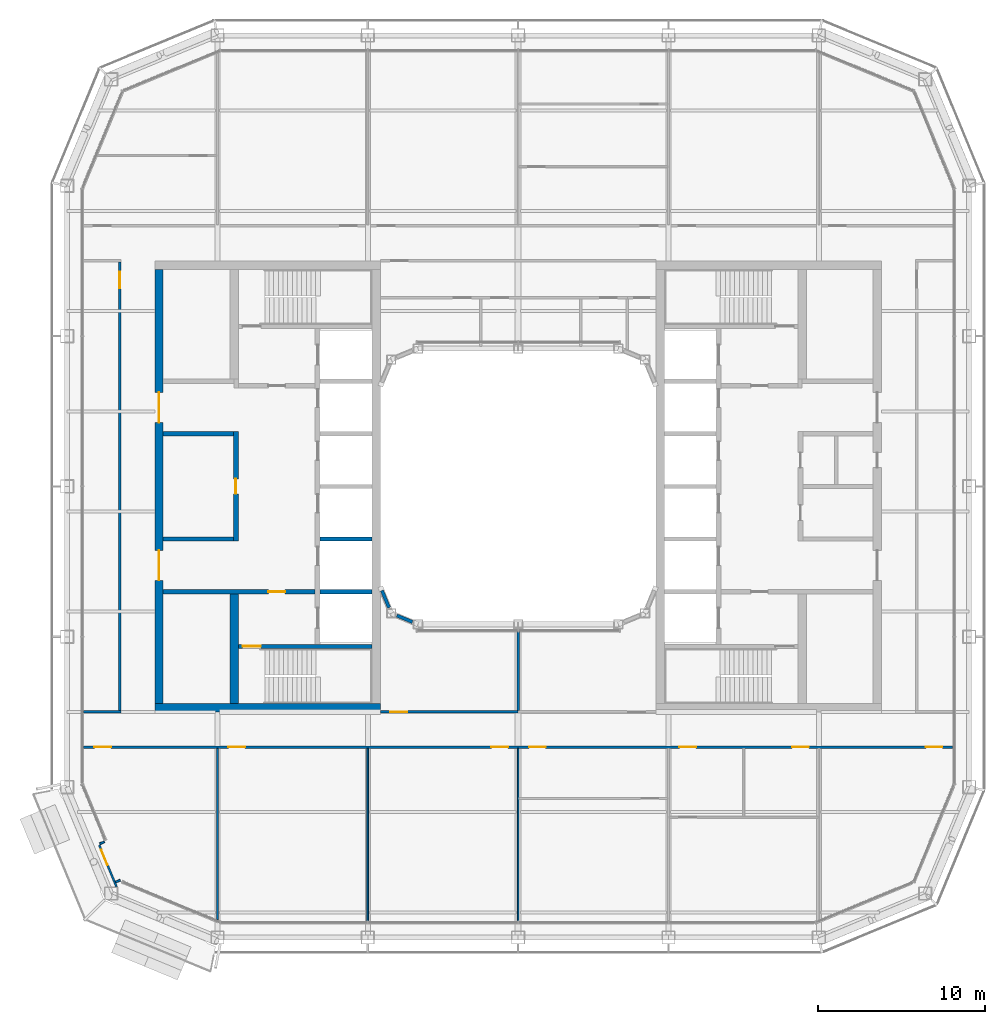
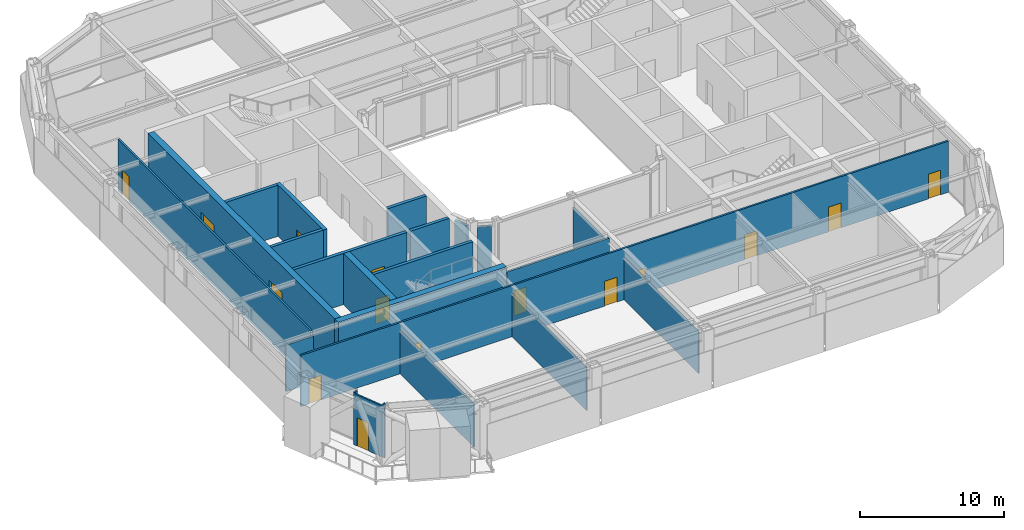
# One storey, part 13 of 23: 23 walls, 15 doors, 15 openings.
"""IFC4 building model written with IfcOpenShell, lengths in metres."""

import ifcopenshell
import ifcopenshell.guid

model = None  # the IFC model being written
_history = None  # IfcOwnerHistory: only IFC2X3 demands one
_inside = {}  # id of a spatial element -> (the spatial element, [elements in it])
_under = {}  # id of a project, library or spatial element -> (it, [spatial elements below it])
_declared = {}  # id of a project -> (the project, [libraries it declares])
_typed = {}  # id of a type object -> (the type object, [elements of that type])
_made_of = {}  # id of a material, layer set ... -> (it, [elements and type objects made of it])


def new_model(schema):
    """Start an empty IFC model of exactly this schema.

    Asked for "IFC4X3", IfcOpenShell would pick the latest addendum, in which some entities
    have other attributes; the version numbers below select the first issue.
    IFC2X3 requires an IfcOwnerHistory on every rooted entity: one is made here for all.
    """
    global model, _history
    if schema == "IFC4X3":
        model = ifcopenshell.file(schema_version=(4, 3, 0, 0))
    else:
        model = ifcopenshell.file(schema=schema)
    _inside.clear()
    _under.clear()
    _declared.clear()
    _typed.clear()
    _made_of.clear()
    _history = None
    if model.schema == "IFC2X3":
        org = make("IfcOrganization", Name="unknown")
        user = make(
            "IfcPersonAndOrganization",
            ThePerson=make("IfcPerson", FamilyName="unknown"),
            TheOrganization=org,
        )
        app = make(
            "IfcApplication",
            ApplicationDeveloper=org,
            Version="unknown",
            ApplicationFullName="unknown",
            ApplicationIdentifier="unknown",
        )
        _history = make(
            "IfcOwnerHistory",
            OwningUser=user,
            OwningApplication=app,
            ChangeAction="ADDED",
            CreationDate=0,
        )
    return model


def make(cls, **values):
    """One entity of the class cls with the attributes given. An attribute that is None is left unset."""
    return model.create_entity(
        cls, **{name: value for name, value in values.items() if value is not None}
    )


def rooted(cls, **values):
    """An entity with a GlobalId (a new one), such as an element, a storey or a relation."""
    return make(cls, GlobalId=ifcopenshell.guid.new(), OwnerHistory=_history, **values)


def si_unit(unit_type, name, prefix=None):
    """IfcSIUnit, for example si_unit("LENGTHUNIT", "METRE", prefix="MILLI")."""
    return make("IfcSIUnit", UnitType=unit_type, Prefix=prefix, Name=name)


def assignment(units):
    """IfcUnitAssignment: the units of a project."""
    return None if units is None else make("IfcUnitAssignment", Units=units)


def point(xyz):
    """IfcCartesianPoint."""
    return None if xyz is None else make("IfcCartesianPoint", Coordinates=xyz)


def direction(xyz):
    """IfcDirection."""
    return None if xyz is None else make("IfcDirection", DirectionRatios=xyz)


def frame(location, z_axis=None, x_axis=None):
    """IfcAxis2Placement3D, a coordinate frame: its origin and axes. An axis left out is left unset."""
    return make(
        "IfcAxis2Placement3D",
        Location=point(location),
        Axis=direction(z_axis),
        RefDirection=direction(x_axis),
    )


def frame_2d(location, x_axis=None):
    """IfcAxis2Placement2D, a coordinate frame in the plane: its origin and x axis."""
    return make(
        "IfcAxis2Placement2D", Location=point(location), RefDirection=direction(x_axis)
    )


def origin():
    """The frame at (0, 0, 0) with its axes left unset."""
    return frame((0.0, 0.0, 0.0))


def place(relative_to, where):
    """IfcLocalPlacement: puts the frame where relative to a parent placement (None: the world)."""
    return make(
        "IfcLocalPlacement", PlacementRelTo=relative_to, RelativePlacement=where
    )


def context(
    kind, dimensions, precision=None, world=None, true_north=None, identifier=None
):
    """IfcGeometricRepresentationContext, for example the 3D "Model" context."""
    return make(
        "IfcGeometricRepresentationContext",
        ContextIdentifier=identifier,
        ContextType=kind,
        CoordinateSpaceDimension=dimensions,
        Precision=precision,
        WorldCoordinateSystem=world,
        TrueNorth=true_north,
    )


def subcontext(parent, identifier, kind, view, scale=None):
    """IfcGeometricRepresentationSubContext, for example "Body" below "Model"."""
    return make(
        "IfcGeometricRepresentationSubContext",
        ContextIdentifier=identifier,
        ContextType=kind,
        ParentContext=parent,
        TargetScale=scale,
        TargetView=view,
    )


def project(units=None, contexts=None):
    """IfcProject with its units and contexts."""
    return rooted(
        "IfcProject",
        Name="project",
        RepresentationContexts=contexts,
        UnitsInContext=assignment(units),
    )


def spatial(cls, under=None, at=None, **own):
    """A site, building, storey or space (cls), placed at a placement, below another one or the project."""
    s = rooted(cls, ObjectPlacement=at, **own)
    if under is not None:
        _under.setdefault(under.id(), (under, []))[1].append(s)
    return s


def profile(cls, at=None, kind="AREA", **sizes):
    """A parametric profile (cls). Its sizes go by their IFC names, for example OverallWidth=200.0."""
    return make(cls, ProfileType=kind, Position=at, **sizes)


def rectangle(**sizes):
    """IfcRectangleProfileDef."""
    return profile("IfcRectangleProfileDef", **sizes)


def extrude(swept, where, along, depth):
    """IfcExtrudedAreaSolid: the profile swept, set in the frame where, extruded along a direction by depth."""
    return make(
        "IfcExtrudedAreaSolid",
        SweptArea=swept,
        Position=where,
        ExtrudedDirection=direction(along),
        Depth=depth,
    )


def shape(context_of_items, identifier, shape_type, items):
    """IfcShapeRepresentation: the items that make up one representation, for example the "Body"."""
    return make(
        "IfcShapeRepresentation",
        ContextOfItems=context_of_items,
        RepresentationIdentifier=identifier,
        RepresentationType=shape_type,
        Items=items,
    )


def material(Name=None, Category=None):
    """IfcMaterial."""
    return make("IfcMaterial", Name=Name, Category=Category)


def layer(
    of_material, thickness, ventilated=None, Name=None, Category=None, Priority=None
):
    """IfcMaterialLayer: one layer of a wall or slab, of a material (None: an air gap)."""
    return make(
        "IfcMaterialLayer",
        Material=of_material,
        LayerThickness=thickness,
        IsVentilated=ventilated,
        Name=Name,
        Category=Category,
        Priority=Priority,
    )


def layer_set(layers, Name=None):
    """IfcMaterialLayerSet."""
    return make("IfcMaterialLayerSet", MaterialLayers=layers, LayerSetName=Name)


def made_of(thing, what):
    """Note that an element or type object is made of a material, layer set ...; save() writes the relation."""
    if what is not None:
        _made_of.setdefault(what.id(), (what, []))[1].append(thing)
    return thing


def type_object(cls, material=None, **own):
    """A type object (cls), such as IfcWallType, which elements share."""
    return made_of(rooted(cls, **own), material)


def element(
    cls,
    number,
    at=None,
    inside=None,
    cuts=None,
    type_object=None,
    material=None,
    context=None,
    identifier="Body",
    shape_type=None,
    held_by="IfcProductDefinitionShape",
    body=None,
    shapes=None,
    **own,
):
    """One element of the class cls, such as IfcWall. Its Tag is "e" and its number.

    at: its placement. inside: the storey or other place that contains it. cuts: it is an
    opening in that element (IfcRelVoidsElement). A single representation is given by context,
    identifier, shape_type and body (its items); several are given by shapes. held_by: the class
    of the entity that holds the representations. save() writes the other relations.
    """
    e = rooted(cls, Tag="e%d" % number, ObjectPlacement=at, **own)
    if body is not None:
        shapes = [shape(context, identifier, shape_type, body)]
    if shapes is not None:
        e.Representation = make(held_by, Representations=shapes)
    if inside is not None:
        _inside.setdefault(inside.id(), (inside, []))[1].append(e)
    if cuts is not None:
        rooted(
            "IfcRelVoidsElement", RelatingBuildingElement=cuts, RelatedOpeningElement=e
        )
    if type_object is not None:
        _typed.setdefault(type_object.id(), (type_object, []))[1].append(e)
    return made_of(e, material)


def fill(opening, filler):
    """IfcRelFillsElement: the door or window that sits in an opening."""
    return rooted(
        "IfcRelFillsElement",
        RelatingOpeningElement=opening,
        RelatedBuildingElement=filler,
    )


def aggregate(whole, parts):
    """IfcRelAggregates: a whole, such as a stair, and the parts it consists of."""
    return rooted("IfcRelAggregates", RelatingObject=whole, RelatedObjects=parts)


def save(model, path):
    """Write the relations noted so far, then the file.

    IfcRelAggregates (storeys below a building ...), IfcRelContainedInSpatialStructure (elements
    in a storey), IfcRelDefinesByType, IfcRelAssociatesMaterial and IfcRelDeclares: one each for
    every whole, place, type object, material and project.
    """
    for whole, parts in _under.values():
        aggregate(whole, parts)
    for where, things in _inside.values():
        rooted(
            "IfcRelContainedInSpatialStructure",
            RelatedElements=things,
            RelatingStructure=where,
        )
    for kind, things in _typed.values():
        rooted("IfcRelDefinesByType", RelatedObjects=things, RelatingType=kind)
    for what, things in _made_of.values():
        rooted("IfcRelAssociatesMaterial", RelatedObjects=things, RelatingMaterial=what)
    for by, libraries in _declared.values():
        rooted("IfcRelDeclares", RelatingContext=by, RelatedDefinitions=libraries)
    model.write(path)


model = new_model("IFC4")

# Units and contexts
model_context = context("Model", 3, precision=1e-05, world=origin(), true_north=direction((0.0, 1.0)))
body_context = subcontext(model_context, "Body", "Model", "MODEL_VIEW")
ifc_project = project(units=[si_unit("LENGTHUNIT", "METRE"), si_unit("AREAUNIT", "SQUARE_METRE"), si_unit("VOLUMEUNIT", "CUBIC_METRE"), si_unit("PLANEANGLEUNIT", "RADIAN"), si_unit("MASSUNIT", "GRAM", prefix="KILO")], contexts=[model_context])

# Site, building, storey
site_placement = place(None, origin())
site = spatial("IfcSite", under=ifc_project, at=site_placement, CompositionType="ELEMENT")
building_placement = place(site_placement, origin())
building = spatial("IfcBuilding", under=site, at=building_placement, Name="Siwar Civic Tower", CompositionType="ELEMENT")
storey_placement = place(building_placement, frame((0.0, 0.0, 269.199951171875)))
storey = spatial("IfcBuildingStorey", under=building, at=storey_placement, Name="L58", CompositionType="ELEMENT", Elevation=269.199951171875)

# Wall, opening, door
ifc_material_1 = material(Name="Gypsum board on steel studs", Category="steel")
ifc_layer_1 = layer(ifc_material_1, 0.14990234375)
ifc_layer_set_1 = layer_set([ifc_layer_1], Name="Gypsum board on steel studs")
wall_type_1 = type_object("IfcWallType", Name="COMPARTMENT PARTITION 150 EI 60", PredefinedType="PARTITIONING", material=ifc_layer_set_1)
wall_1_placement = place(storey_placement, frame((-8.25, -13.5, 0.0), z_axis=(0.0, 0.0, 1.0), x_axis=(1.0, 0.0, 0.0)))
wall_1 = element("IfcWall", 1, at=wall_1_placement, inside=storey, type_object=wall_type_1, Name="L58/wall/P07", PredefinedType="PARTITIONING", context=body_context, shape_type="SweptSolid", body=[
    extrude(rectangle(XDim=8.25, YDim=0.14990234375, at=frame_2d((4.125, 0.0))), origin(), (0.0, 0.0, 1.0), 3.949951171875),
])
opening_1_placement = place(wall_1_placement, frame((0.60009765625, 0.0, 0.0)))
opening_1 = element("IfcOpeningElement", 2, at=opening_1_placement, cuts=wall_1, Name="Opening D1", PredefinedType="OPENING", context=body_context, shape_type="SweptSolid", body=[
    extrude(rectangle(XDim=1.0, YDim=2.10009765625, at=frame_2d((0.5, 1.050048828125))), frame((0.0, 0.0849609375, 0.0), z_axis=(0.0, -1.0, 0.0), x_axis=(1.0, 0.0, 0.0)), (0.0, 0.0, 1.0), 0.169921875),
])
ifc_material_2 = material(Name="Timber, painted", Category="wood")
door_type_1 = type_object("IfcDoorType", Name="DOOR 1000 X 2100 FD30", OperationType="SINGLE_SWING_LEFT", PredefinedType="DOOR", material=ifc_material_2)
door_1_placement = place(opening_1_placement, origin())
door_1 = element("IfcDoor", 3, at=door_1_placement, inside=storey, type_object=door_type_1, Name="L58-D26", OperationType="SINGLE_SWING_RIGHT", OverallHeight=2.10009765625, OverallWidth=1.0, PredefinedType="DOOR", context=body_context, shape_type="SweptSolid", body=[
    extrude(rectangle(XDim=1.0, YDim=2.10009765625, at=frame_2d((0.5, 1.050048828125))), frame((0.0, 0.02490234375, 0.0), z_axis=(0.0, -1.0, 0.0), x_axis=(1.0, 0.0, 0.0)), (0.0, 0.0, 1.0), 0.050048828125),
])
fill(opening_1, door_1)

# Wall
wall_2_placement = place(storey_placement, frame((0.0, -13.425048828125, 0.0), z_axis=(0.0, 0.0, 1.0), x_axis=(0.0, 1.0, 0.0)))
element("IfcWall", 4, at=wall_2_placement, inside=storey, type_object=wall_type_1, Name="L58/wall/P25", PredefinedType="PARTITIONING", context=body_context, shape_type="SweptSolid", body=[
    extrude(rectangle(XDim=4.824951171875, YDim=0.14990234375, at=frame_2d((2.41259765625, 0.0))), origin(), (0.0, 0.0, 1.0), 3.550048828125),
])

# Wall, opening, door
ifc_material_3 = material(Name="Concrete C60/75", Category="concrete")
ifc_layer_2 = layer(ifc_material_3, 0.25)
ifc_layer_set_2 = layer_set([ifc_layer_2], Name="Concrete C60/75")
wall_type_2 = type_object("IfcWallType", Name="CORE-WALL-RC250", PredefinedType="SHEAR", material=ifc_layer_set_2)
wall_3_placement = place(storey_placement, frame((-12.14990234375, -6.300048828125, 0.0), z_axis=(0.0, 0.0, 1.0), x_axis=(-1.0, 0.0, 0.0)))
wall_3 = element("IfcWall", 5, at=wall_3_placement, inside=storey, type_object=wall_type_2, Name="Core wall W", PredefinedType="SHEAR", context=body_context, shape_type="SweptSolid", body=[
    extrude(rectangle(XDim=9.10009765625, YDim=0.25, at=frame_2d((4.550048828125, 0.0))), origin(), (0.0, 0.0, 1.0), 4.35009765625),
])
opening_2_placement = place(wall_3_placement, frame((1.800048828125, 0.0, 0.0)))
opening_2 = element("IfcOpeningElement", 6, at=opening_2_placement, cuts=wall_3, Name="Opening L58-CW02", PredefinedType="OPENING", context=body_context, shape_type="SweptSolid", body=[
    extrude(rectangle(XDim=1.0, YDim=2.10009765625, at=frame_2d((0.5, 1.050048828125))), frame((0.0, 0.135009765625, 0.0), z_axis=(0.0, -1.0, 0.0), x_axis=(1.0, 0.0, 0.0)), (0.0, 0.0, 1.0), 0.27001953125),
])
ifc_material_4 = material(Name="Steel door leaf", Category="steel")
door_type_2 = type_object("IfcDoorType", Name="CORE-DOOR-FD30S", OperationType="SINGLE_SWING_LEFT", PredefinedType="DOOR", material=ifc_material_4)
door_2_placement = place(opening_2_placement, origin())
door_2 = element("IfcDoor", 7, at=door_2_placement, inside=storey, type_object=door_type_2, Name="Service lobby door L58-CW02", OperationType="SINGLE_SWING_RIGHT", OverallHeight=2.10009765625, OverallWidth=1.0, PredefinedType="DOOR", context=body_context, shape_type="SweptSolid", body=[
    extrude(rectangle(XDim=1.0, YDim=2.10009765625, at=frame_2d((0.5, 1.050048828125))), frame((0.0, 0.02490234375, 0.0), z_axis=(0.0, -1.0, 0.0), x_axis=(1.0, 0.0, 0.0)), (0.0, 0.0, 1.0), 0.050048828125),
])
fill(opening_2, door_2)

# Walls
for number, where, z_axis, x_axis, name in (
    (8, (-17.050048828125, 3.14990234375, 0.0), (0.0, 0.0, 1.0), (-1.0, 0.0, 0.0), "Core wall W"),
    (9, (-17.050048828125, -3.14990234375, 0.0), (0.0, 0.0, 1.0), (-1.0, 0.0, 0.0), "Core wall W"),
):
    element("IfcWall", number, at=place(storey_placement, frame(where, z_axis=z_axis, x_axis=x_axis)), inside=storey, type_object=wall_type_2, Name=name, PredefinedType="SHEAR", context=body_context, shape_type="SweptSolid", body=[
        extrude(rectangle(XDim=4.199951171875, YDim=0.25, at=frame_2d((2.10009765625, 0.0))), origin(), (0.0, 0.0, 1.0), 4.35009765625),
    ])
for number, where, z_axis, x_axis, name in (
    (10, (-8.75, -3.14990234375, 0.0), (0.0, 0.0, 1.0), (-1.0, 0.0, 0.0), "Core wall W"),
    (11, (-8.75, -6.300048828125, 0.0), (0.0, 0.0, 1.0), (-1.0, 0.0, 0.0), "Core wall W"),
):
    element("IfcWall", number, at=place(storey_placement, frame(where, z_axis=z_axis, x_axis=x_axis)), inside=storey, type_object=wall_type_2, Name=name, PredefinedType="SHEAR", context=body_context, shape_type="SweptSolid", body=[
        extrude(rectangle(XDim=3.10009765625, YDim=0.25, at=frame_2d((1.550048828125, 0.0))), origin(), (0.0, 0.0, 1.0), 4.35009765625),
    ])

# Wall, opening, door
wall_4_placement = place(storey_placement, frame((-8.75, -9.574951171875, 0.0), z_axis=(0.0, 0.0, 1.0), x_axis=(-1.0, 0.0, 0.0)))
wall_4 = element("IfcWall", 12, at=wall_4_placement, inside=storey, type_object=wall_type_2, Name="Core wall W", PredefinedType="SHEAR", context=body_context, shape_type="SweptSolid", body=[
    extrude(rectangle(XDim=8.0, YDim=0.25, at=frame_2d((4.0, 0.0))), origin(), (0.0, 0.0, 1.0), 4.35009765625),
])
opening_3_placement = place(wall_4_placement, frame((6.64990234375, 0.0, 0.0)))
opening_3 = element("IfcOpeningElement", 13, at=opening_3_placement, cuts=wall_4, Name="Opening L58-CW04", PredefinedType="OPENING", context=body_context, shape_type="SweptSolid", body=[
    extrude(rectangle(XDim=1.10009765625, YDim=2.10009765625, at=frame_2d((0.550048828125, 1.050048828125))), frame((0.0, 0.135009765625, 0.0), z_axis=(0.0, -1.0, 0.0), x_axis=(1.0, 0.0, 0.0)), (0.0, 0.0, 1.0), 0.27001953125),
])
ifc_material_5 = material(Name="Steel door leaf", Category="steel")
door_type_3 = type_object("IfcDoorType", Name="CORE-DOOR-FD60S", OperationType="SINGLE_SWING_LEFT", PredefinedType="DOOR", material=ifc_material_5)
door_3_placement = place(opening_3_placement, origin())
door_3 = element("IfcDoor", 14, at=door_3_placement, inside=storey, type_object=door_type_3, Name="Stair door L58-CW04", OperationType="SINGLE_SWING_LEFT", OverallHeight=2.10009765625, OverallWidth=1.10009765625, PredefinedType="DOOR", context=body_context, shape_type="SweptSolid", body=[
    extrude(rectangle(XDim=1.10009765625, YDim=2.10009765625, at=frame_2d((0.550048828125, 1.050048828125))), frame((0.0, 0.02490234375, 0.0), z_axis=(0.0, -1.0, 0.0), x_axis=(1.0, 0.0, 0.0)), (0.0, 0.0, 1.0), 0.050048828125),
])
fill(opening_3, door_3)

ifc_material_6 = material(Name="Concrete C60/75", Category="concrete")
ifc_layer_3 = layer(ifc_material_6, 0.300048828125)
ifc_layer_set_3 = layer_set([ifc_layer_3], Name="Concrete C60/75")
wall_type_3 = type_object("IfcWallType", Name="CORE-WALL-RC300", PredefinedType="SHEAR", material=ifc_layer_set_3)
wall_5_placement = place(storey_placement, frame((-16.89990234375, -3.27490234375, 0.0), z_axis=(0.0, 0.0, 1.0), x_axis=(0.0, 1.0, 0.0)))
wall_5 = element("IfcWall", 15, at=wall_5_placement, inside=storey, type_object=wall_type_3, Name="Core wall W", PredefinedType="SHEAR", context=body_context, shape_type="SweptSolid", body=[
    extrude(rectangle(XDim=6.5498046875, YDim=0.300048828125, at=frame_2d((3.27490234375, 0.0))), origin(), (0.0, 0.0, 1.0), 4.35009765625),
])
opening_4_placement = place(wall_5_placement, frame((2.824951171875, 0.0, 0.0)))
opening_4 = element("IfcOpeningElement", 16, at=opening_4_placement, cuts=wall_5, Name="Opening L58-CW13", PredefinedType="OPENING", context=body_context, shape_type="SweptSolid", body=[
    extrude(rectangle(XDim=0.89990234375, YDim=2.10009765625, at=frame_2d((0.449951171875, 1.050048828125))), frame((0.0, 0.16015625, 0.0), z_axis=(0.0, -1.0, 0.0), x_axis=(1.0, 0.0, 0.0)), (0.0, 0.0, 1.0), 0.320068359375),
])
ifc_material_7 = material(Name="Steel door leaf", Category="steel")
door_type_4 = type_object("IfcDoorType", Name="CORE-DOOR-ROOM", OperationType="SINGLE_SWING_LEFT", PredefinedType="DOOR", material=ifc_material_7)
door_4_placement = place(opening_4_placement, origin())
door_4 = element("IfcDoor", 17, at=door_4_placement, inside=storey, type_object=door_type_4, Name="Core room door L58-CW13", OperationType="SINGLE_SWING_RIGHT", OverallHeight=2.10009765625, OverallWidth=0.89990234375, PredefinedType="DOOR", context=body_context, shape_type="SweptSolid", body=[
    extrude(rectangle(XDim=0.89990234375, YDim=2.10009765625, at=frame_2d((0.449951171875, 1.050048828125))), frame((0.0, 0.02490234375, 0.0), z_axis=(0.0, -1.0, 0.0), x_axis=(1.0, 0.0, 0.0)), (0.0, 0.0, 1.0), 0.050048828125),
])
fill(opening_4, door_4)

# Wall, openings, doors
ifc_material_8 = material(Name="Concrete C60/75", Category="concrete")
ifc_layer_4 = layer(ifc_material_8, 0.5)
ifc_layer_set_4 = layer_set([ifc_layer_4], Name="Concrete C60/75")
wall_type_4 = type_object("IfcWallType", Name="CORE-WALL-RC500", PredefinedType="SHEAR", material=ifc_layer_set_4)
wall_6_placement = place(storey_placement, frame((-21.5, -13.0, 0.0), z_axis=(0.0, 0.0, 1.0), x_axis=(0.0, 1.0, 0.0)))
wall_6 = element("IfcWall", 18, at=wall_6_placement, inside=storey, type_object=wall_type_4, Name="Core wall W", PredefinedType="SHEAR", context=body_context, shape_type="SweptSolid", body=[
    extrude(rectangle(XDim=26.0, YDim=0.5, at=frame_2d((13.0, 0.0))), origin(), (0.0, 0.0, 1.0), 4.35009765625),
])
opening_5_placement = place(wall_6_placement, frame((16.824951171875, 0.0, 0.0)))
opening_5 = element("IfcOpeningElement", 19, at=opening_5_placement, cuts=wall_6, Name="Opening L58-CW05", PredefinedType="OPENING", context=body_context, shape_type="SweptSolid", body=[
    extrude(rectangle(XDim=1.800048828125, YDim=2.10009765625, at=frame_2d((0.89990234375, 1.050048828125))), frame((0.0, 0.260009765625, 0.0), z_axis=(0.0, -1.0, 0.0), x_axis=(1.0, 0.0, 0.0)), (0.0, 0.0, 1.0), 0.52001953125),
])
opening_6_placement = place(wall_6_placement, frame((7.375, 0.0, 0.0)))
opening_6 = element("IfcOpeningElement", 20, at=opening_6_placement, cuts=wall_6, Name="Opening L58-CW06", PredefinedType="OPENING", context=body_context, shape_type="SweptSolid", body=[
    extrude(rectangle(XDim=1.800048828125, YDim=2.10009765625, at=frame_2d((0.89990234375, 1.050048828125))), frame((0.0, 0.260009765625, 0.0), z_axis=(0.0, -1.0, 0.0), x_axis=(1.0, 0.0, 0.0)), (0.0, 0.0, 1.0), 0.52001953125),
])
ifc_material_9 = material(Name="Steel door leaf", Category="steel")
door_type_5 = type_object("IfcDoorType", Name="CORE-DOOR-PORT", OperationType="DOUBLE_DOOR_DOUBLE_SWING", PredefinedType="DOOR", material=ifc_material_9)
door_5_placement = place(opening_5_placement, origin())
door_5 = element("IfcDoor", 21, at=door_5_placement, inside=storey, type_object=door_type_5, Name="Core entrance door L58-CW05", OperationType="DOUBLE_DOOR_DOUBLE_SWING", OverallHeight=2.10009765625, OverallWidth=1.800048828125, PredefinedType="DOOR", context=body_context, shape_type="SweptSolid", body=[
    extrude(rectangle(XDim=1.800048828125, YDim=2.10009765625, at=frame_2d((0.89990234375, 1.050048828125))), frame((0.0, 0.02490234375, 0.0), z_axis=(0.0, -1.0, 0.0), x_axis=(1.0, 0.0, 0.0)), (0.0, 0.0, 1.0), 0.050048828125),
])
fill(opening_5, door_5)
door_6_placement = place(opening_6_placement, origin())
door_6 = element("IfcDoor", 22, at=door_6_placement, inside=storey, type_object=door_type_5, Name="Core entrance door L58-CW06", OperationType="DOUBLE_DOOR_DOUBLE_SWING", OverallHeight=2.10009765625, OverallWidth=1.800048828125, PredefinedType="DOOR", context=body_context, shape_type="SweptSolid", body=[
    extrude(rectangle(XDim=1.800048828125, YDim=2.10009765625, at=frame_2d((0.89990234375, 1.050048828125))), frame((0.0, 0.02490234375, 0.0), z_axis=(0.0, -1.0, 0.0), x_axis=(1.0, 0.0, 0.0)), (0.0, 0.0, 1.0), 0.050048828125),
])
fill(opening_6, door_6)

# Walls
wall_7_placement = place(storey_placement, frame((-17.0, -13.0, 0.0), z_axis=(0.0, 0.0, 1.0), x_axis=(0.0, 1.0, 0.0)))
element("IfcWall", 23, at=wall_7_placement, inside=storey, type_object=wall_type_4, Name="Core wall W", PredefinedType="SHEAR", context=body_context, shape_type="SweptSolid", body=[
    extrude(rectangle(XDim=6.574951171875, YDim=0.5, at=frame_2d((3.28759765625, 0.0))), origin(), (0.0, 0.0, 1.0), 4.35009765625),
])
wall_8_placement = place(storey_placement, frame((-8.25, -13.25, 0.0), z_axis=(0.0, 0.0, 1.0), x_axis=(-1.0, 0.0, 0.0)))
element("IfcWall", 24, at=wall_8_placement, inside=storey, type_object=wall_type_4, Name="Core wall W", PredefinedType="SHEAR", context=body_context, shape_type="SweptSolid", body=[
    extrude(rectangle(XDim=13.5, YDim=0.5, at=frame_2d((6.75, 0.0))), origin(), (0.0, 0.0, 1.0), 4.35009765625),
])

# Wall, openings, doors
ifc_material_10 = material(Name="Gypsum board on steel studs", Category="steel")
ifc_layer_5 = layer(ifc_material_10, 0.14990234375)
ifc_layer_set_5 = layer_set([ifc_layer_5], Name="Gypsum board on steel studs")
wall_type_5 = type_object("IfcWallType", Name="CORRIDOR PARTITION 150 EI 30", PredefinedType="PARTITIONING", material=ifc_layer_set_5)
wall_9_placement = place(storey_placement, frame((-26.010009765625, -15.60009765625, 0.0), z_axis=(0.0, 0.0, 1.0), x_axis=(1.0, 0.0, 0.0)))
wall_9 = element("IfcWall", 25, at=wall_9_placement, inside=storey, type_object=wall_type_5, Name="L58/wall/P03", PredefinedType="PARTITIONING", context=body_context, shape_type="SweptSolid", body=[
    extrude(rectangle(XDim=52.02001953125, YDim=0.14990234375, at=frame_2d((26.010009765625, 0.0))), origin(), (0.0, 0.0, 1.0), 4.35009765625),
])
opening_7_placement = place(wall_9_placement, frame((8.659912109375, 0.0, 0.0)))
opening_7 = element("IfcOpeningElement", 26, at=opening_7_placement, cuts=wall_9, Name="Opening D1", PredefinedType="OPENING", context=body_context, shape_type="SweptSolid", body=[
    extrude(rectangle(XDim=1.0, YDim=2.10009765625, at=frame_2d((0.5, 1.050048828125))), frame((0.0, 0.0849609375, 0.0), z_axis=(0.0, -1.0, 0.0), x_axis=(1.0, 0.0, 0.0)), (0.0, 0.0, 1.0), 0.169921875),
])
opening_8_placement = place(wall_9_placement, frame((24.409912109375, 0.0, 0.0)))
opening_8 = element("IfcOpeningElement", 27, at=opening_8_placement, cuts=wall_9, Name="Opening D1", PredefinedType="OPENING", context=body_context, shape_type="SweptSolid", body=[
    extrude(rectangle(XDim=1.0, YDim=2.10009765625, at=frame_2d((0.5, 1.050048828125))), frame((0.0, 0.0849609375, 0.0), z_axis=(0.0, -1.0, 0.0), x_axis=(1.0, 0.0, 0.0)), (0.0, 0.0, 1.0), 0.169921875),
])
opening_9_placement = place(wall_9_placement, frame((26.659912109375, 0.0, 0.0)))
opening_9 = element("IfcOpeningElement", 28, at=opening_9_placement, cuts=wall_9, Name="Opening D1", PredefinedType="OPENING", context=body_context, shape_type="SweptSolid", body=[
    extrude(rectangle(XDim=1.0, YDim=2.10009765625, at=frame_2d((0.5, 1.050048828125))), frame((0.0, 0.0849609375, 0.0), z_axis=(0.0, -1.0, 0.0), x_axis=(1.0, 0.0, 0.0)), (0.0, 0.0, 1.0), 0.169921875),
])
opening_10_placement = place(wall_9_placement, frame((35.659912109375, 0.0, 0.0)))
opening_10 = element("IfcOpeningElement", 29, at=opening_10_placement, cuts=wall_9, Name="Opening D1", PredefinedType="OPENING", context=body_context, shape_type="SweptSolid", body=[
    extrude(rectangle(XDim=1.0, YDim=2.10009765625, at=frame_2d((0.5, 1.050048828125))), frame((0.0, 0.0849609375, 0.0), z_axis=(0.0, -1.0, 0.0), x_axis=(1.0, 0.0, 0.0)), (0.0, 0.0, 1.0), 0.169921875),
])
opening_11_placement = place(wall_9_placement, frame((42.409912109375, 0.0, 0.0)))
opening_11 = element("IfcOpeningElement", 30, at=opening_11_placement, cuts=wall_9, Name="Opening D1", PredefinedType="OPENING", context=body_context, shape_type="SweptSolid", body=[
    extrude(rectangle(XDim=1.0, YDim=2.10009765625, at=frame_2d((0.5, 1.050048828125))), frame((0.0, 0.0849609375, 0.0), z_axis=(0.0, -1.0, 0.0), x_axis=(1.0, 0.0, 0.0)), (0.0, 0.0, 1.0), 0.169921875),
])
opening_12_placement = place(wall_9_placement, frame((0.64990234375, 0.0, 0.0)))
opening_12 = element("IfcOpeningElement", 31, at=opening_12_placement, cuts=wall_9, Name="Opening D1", PredefinedType="OPENING", context=body_context, shape_type="SweptSolid", body=[
    extrude(rectangle(XDim=1.0, YDim=2.10009765625, at=frame_2d((0.5, 1.050048828125))), frame((0.0, 0.0849609375, 0.0), z_axis=(0.0, -1.0, 0.0), x_axis=(1.0, 0.0, 0.0)), (0.0, 0.0, 1.0), 0.169921875),
])
opening_13_placement = place(wall_9_placement, frame((50.409912109375, 0.0, 0.0)))
opening_13 = element("IfcOpeningElement", 32, at=opening_13_placement, cuts=wall_9, Name="Opening D1", PredefinedType="OPENING", context=body_context, shape_type="SweptSolid", body=[
    extrude(rectangle(XDim=1.0, YDim=2.10009765625, at=frame_2d((0.5, 1.050048828125))), frame((0.0, 0.0849609375, 0.0), z_axis=(0.0, -1.0, 0.0), x_axis=(1.0, 0.0, 0.0)), (0.0, 0.0, 1.0), 0.169921875),
])
door_7_placement = place(opening_7_placement, origin())
door_7 = element("IfcDoor", 33, at=door_7_placement, inside=storey, type_object=door_type_1, Name="L58-D07", OperationType="SINGLE_SWING_LEFT", OverallHeight=2.10009765625, OverallWidth=1.0, PredefinedType="DOOR", context=body_context, shape_type="SweptSolid", body=[
    extrude(rectangle(XDim=1.0, YDim=2.10009765625, at=frame_2d((0.5, 1.050048828125))), frame((0.0, 0.02490234375, 0.0), z_axis=(0.0, -1.0, 0.0), x_axis=(1.0, 0.0, 0.0)), (0.0, 0.0, 1.0), 0.050048828125),
])
fill(opening_7, door_7)
door_8_placement = place(opening_8_placement, origin())
door_8 = element("IfcDoor", 34, at=door_8_placement, inside=storey, type_object=door_type_1, Name="L58-D08", OperationType="SINGLE_SWING_RIGHT", OverallHeight=2.10009765625, OverallWidth=1.0, PredefinedType="DOOR", context=body_context, shape_type="SweptSolid", body=[
    extrude(rectangle(XDim=1.0, YDim=2.10009765625, at=frame_2d((0.5, 1.050048828125))), frame((0.0, 0.02490234375, 0.0), z_axis=(0.0, -1.0, 0.0), x_axis=(1.0, 0.0, 0.0)), (0.0, 0.0, 1.0), 0.050048828125),
])
fill(opening_8, door_8)
door_9_placement = place(opening_9_placement, origin())
door_9 = element("IfcDoor", 35, at=door_9_placement, inside=storey, type_object=door_type_1, Name="L58-D09", OperationType="SINGLE_SWING_LEFT", OverallHeight=2.10009765625, OverallWidth=1.0, PredefinedType="DOOR", context=body_context, shape_type="SweptSolid", body=[
    extrude(rectangle(XDim=1.0, YDim=2.10009765625, at=frame_2d((0.5, 1.050048828125))), frame((0.0, 0.02490234375, 0.0), z_axis=(0.0, -1.0, 0.0), x_axis=(1.0, 0.0, 0.0)), (0.0, 0.0, 1.0), 0.050048828125),
])
fill(opening_9, door_9)
door_10_placement = place(opening_10_placement, origin())
door_10 = element("IfcDoor", 36, at=door_10_placement, inside=storey, type_object=door_type_1, Name="L58-D11", OperationType="SINGLE_SWING_LEFT", OverallHeight=2.10009765625, OverallWidth=1.0, PredefinedType="DOOR", context=body_context, shape_type="SweptSolid", body=[
    extrude(rectangle(XDim=1.0, YDim=2.10009765625, at=frame_2d((0.5, 1.050048828125))), frame((0.0, 0.02490234375, 0.0), z_axis=(0.0, -1.0, 0.0), x_axis=(1.0, 0.0, 0.0)), (0.0, 0.0, 1.0), 0.050048828125),
])
fill(opening_10, door_10)
door_11_placement = place(opening_11_placement, origin())
door_11 = element("IfcDoor", 37, at=door_11_placement, inside=storey, type_object=door_type_1, Name="L58-D12", OperationType="SINGLE_SWING_RIGHT", OverallHeight=2.10009765625, OverallWidth=1.0, PredefinedType="DOOR", context=body_context, shape_type="SweptSolid", body=[
    extrude(rectangle(XDim=1.0, YDim=2.10009765625, at=frame_2d((0.5, 1.050048828125))), frame((0.0, 0.02490234375, 0.0), z_axis=(0.0, -1.0, 0.0), x_axis=(1.0, 0.0, 0.0)), (0.0, 0.0, 1.0), 0.050048828125),
])
fill(opening_11, door_11)
door_12_placement = place(opening_12_placement, origin())
door_12 = element("IfcDoor", 38, at=door_12_placement, inside=storey, type_object=door_type_1, Name="L58-D17", OperationType="SINGLE_SWING_LEFT", OverallHeight=2.10009765625, OverallWidth=1.0, PredefinedType="DOOR", context=body_context, shape_type="SweptSolid", body=[
    extrude(rectangle(XDim=1.0, YDim=2.10009765625, at=frame_2d((0.5, 1.050048828125))), frame((0.0, 0.02490234375, 0.0), z_axis=(0.0, -1.0, 0.0), x_axis=(1.0, 0.0, 0.0)), (0.0, 0.0, 1.0), 0.050048828125),
])
fill(opening_12, door_12)
door_13_placement = place(opening_13_placement, origin())
door_13 = element("IfcDoor", 39, at=door_13_placement, inside=storey, type_object=door_type_1, Name="L58-D18", OperationType="SINGLE_SWING_RIGHT", OverallHeight=2.10009765625, OverallWidth=1.0, PredefinedType="DOOR", context=body_context, shape_type="SweptSolid", body=[
    extrude(rectangle(XDim=1.0, YDim=2.10009765625, at=frame_2d((0.5, 1.050048828125))), frame((0.0, 0.02490234375, 0.0), z_axis=(0.0, -1.0, 0.0), x_axis=(1.0, 0.0, 0.0)), (0.0, 0.0, 1.0), 0.050048828125),
])
fill(opening_13, door_13)

# Wall
wall_10_placement = place(storey_placement, frame((-26.010009765625, -13.5, 0.0), z_axis=(0.0, 0.0, 1.0), x_axis=(1.0, 0.0, 0.0)))
element("IfcWall", 40, at=wall_10_placement, inside=storey, type_object=wall_type_5, Name="L58/wall/P04", PredefinedType="PARTITIONING", context=body_context, shape_type="SweptSolid", body=[
    extrude(rectangle(XDim=2.235107421875, YDim=0.14990234375, at=frame_2d((1.11767578125, 0.0))), origin(), (0.0, 0.0, 1.0), 3.949951171875),
])

# Wall, opening, door
wall_11_placement = place(storey_placement, frame((-23.85009765625, -13.425048828125, 0.0), z_axis=(0.0, 0.0, 1.0), x_axis=(0.0, 1.0, 0.0)))
wall_11 = element("IfcWall", 41, at=wall_11_placement, inside=storey, type_object=wall_type_5, Name="L58/wall/P17", PredefinedType="PARTITIONING", context=body_context, shape_type="SweptSolid", body=[
    extrude(rectangle(XDim=26.85009765625, YDim=0.14990234375, at=frame_2d((13.425048828125, 0.0))), origin(), (0.0, 0.0, 1.0), 4.35009765625),
])
opening_14_placement = place(wall_11_placement, frame((25.27490234375, 0.0, 0.0)))
opening_14 = element("IfcOpeningElement", 42, at=opening_14_placement, cuts=wall_11, Name="Opening D1", PredefinedType="OPENING", context=body_context, shape_type="SweptSolid", body=[
    extrude(rectangle(XDim=1.0, YDim=2.10009765625, at=frame_2d((0.5, 1.050048828125))), frame((0.0, 0.0849609375, 0.0), z_axis=(0.0, -1.0, 0.0), x_axis=(1.0, 0.0, 0.0)), (0.0, 0.0, 1.0), 0.169921875),
])
door_14_placement = place(opening_14_placement, origin())
door_14 = element("IfcDoor", 43, at=door_14_placement, inside=storey, type_object=door_type_1, Name="L58-D19", OperationType="SINGLE_SWING_LEFT", OverallHeight=2.10009765625, OverallWidth=1.0, PredefinedType="DOOR", context=body_context, shape_type="SweptSolid", body=[
    extrude(rectangle(XDim=1.0, YDim=2.10009765625, at=frame_2d((0.5, 1.050048828125))), frame((0.0, 0.02490234375, 0.0), z_axis=(0.0, -1.0, 0.0), x_axis=(1.0, 0.0, 0.0)), (0.0, 0.0, 1.0), 0.050048828125),
])
fill(opening_14, door_14)

# Walls
ifc_material_11 = material(Name="Aluminium clad insulated panel", Category="aluminium")
ifc_layer_6 = layer(ifc_material_11, 0.1201171875)
ifc_layer_set_6 = layer_set([ifc_layer_6], Name="Aluminium clad insulated panel")
wall_type_6 = type_object("IfcWallType", Name="ENV-WALL-BAL", PredefinedType="STANDARD", material=ifc_layer_set_6)
wall_12_placement = place(storey_placement, frame((-24.766357421875, -21.27587890625, 0.0), z_axis=(0.0, 0.0, 1.0), x_axis=(-0.923917630863, -0.382591441855, 0.0)))
element("IfcWall", 44, at=wall_12_placement, inside=storey, type_object=wall_type_6, Name="Balcony door wall return SW1", PredefinedType="STANDARD", context=body_context, shape_type="SweptSolid", body=[
    extrude(rectangle(XDim=0.2998046875, YDim=0.1201171875, at=frame_2d((0.14990234375, 0.0))), origin(), (0.0, 0.0, 1.0), 4.35009765625),
])
wall_13_placement = place(storey_placement, frame((-23.817626953125, -23.56640625, 0.0), z_axis=(0.0, 0.0, 1.0), x_axis=(-0.923629715641, -0.383285987724, 0.0)))
element("IfcWall", 45, at=wall_13_placement, inside=storey, type_object=wall_type_6, Name="Balcony door wall return SW1", PredefinedType="STANDARD", context=body_context, shape_type="SweptSolid", body=[
    extrude(rectangle(XDim=0.300048828125, YDim=0.1201171875, at=frame_2d((0.14990234375, 0.0))), origin(), (0.0, 0.0, 1.0), 4.35009765625),
])

# Wall, opening, door
wall_14_placement = place(storey_placement, frame((-25.075927734375, -21.468994140625, 0.0), z_axis=(0.0, 0.0, 1.0), x_axis=(0.382695131424, -0.923874686516, 0.0)))
wall_14 = element("IfcWall", 46, at=wall_14_placement, inside=storey, type_object=wall_type_6, Name="Balcony door wall SW1", PredefinedType="STANDARD", context=body_context, shape_type="SweptSolid", body=[
    extrude(rectangle(XDim=2.700439453125, YDim=0.1201171875, at=frame_2d((1.35009765625, 0.0))), origin(), (0.0, 0.0, 1.0), 4.35009765625),
])
opening_15_placement = place(wall_14_placement, frame((0.300048828125, 0.0, 0.0)))
opening_15 = element("IfcOpeningElement", 47, at=opening_15_placement, cuts=wall_14, Name="Opening D-BAL", PredefinedType="OPENING", context=body_context, shape_type="SweptSolid", body=[
    extrude(rectangle(XDim=1.0, YDim=2.39990234375, at=frame_2d((0.5, 1.199951171875))), frame((0.0, 0.070068359375, 0.0), z_axis=(0.0, -1.0, 0.0), x_axis=(1.0, 0.0, 0.0)), (0.0, 0.0, 1.0), 0.14013671875),
])
ifc_material_12 = material(Name="Aluminium and glass", Category="aluminium")
door_type_6 = type_object("IfcDoorType", Name="ENV-DOOR-BAL", OperationType="SINGLE_SWING_LEFT", PredefinedType="DOOR", material=ifc_material_12)
door_15_placement = place(opening_15_placement, origin())
door_15 = element("IfcDoor", 48, at=door_15_placement, inside=storey, type_object=door_type_6, Name="Balcony door SW", OperationType="SINGLE_SWING_LEFT", OverallHeight=2.39990234375, OverallWidth=1.0, PredefinedType="DOOR", context=body_context, shape_type="SweptSolid", body=[
    extrude(rectangle(XDim=1.0, YDim=2.39990234375, at=frame_2d((0.5, 1.199951171875))), frame((0.0, 0.02490234375, 0.0), z_axis=(0.0, -1.0, 0.0), x_axis=(1.0, 0.0, 0.0)), (0.0, 0.0, 1.0), 0.050048828125),
])
fill(opening_15, door_15)

# Walls
ifc_material_13 = material(Name="Aluminium clad insulated panel", Category="aluminium")
ifc_layer_7 = layer(ifc_material_13, 0.199951171875)
ifc_layer_set_7 = layer_set([ifc_layer_7], Name="Aluminium clad insulated panel")
wall_type_7 = type_object("IfcWallType", Name="ENV-WALL-WELL", PredefinedType="STANDARD", material=ifc_layer_set_7)
wall_15_placement = place(storey_placement, frame((-8.154296875, -6.23095703125, 0.0), z_axis=(0.0, 0.0, 1.0), x_axis=(0.382635994082, -0.923899180665, 0.0)))
element("IfcWall", 49, at=wall_15_placement, inside=storey, type_object=wall_type_7, Name="Light well corner wall SW1", PredefinedType="STANDARD", context=body_context, shape_type="SweptSolid", body=[
    extrude(rectangle(XDim=1.11279296875, YDim=0.199951171875, at=frame_2d((0.556396484375, 0.0))), origin(), (0.0, 0.0, 1.0), 3.91796875),
])
wall_16_placement = place(storey_placement, frame((-7.259033203125, -7.728515625, 0.0), z_axis=(0.0, 0.0, 1.0), x_axis=(0.923859650767, -0.382731427616, 0.0)))
element("IfcWall", 50, at=wall_16_placement, inside=storey, type_object=wall_type_7, Name="Light well corner wall SW2", PredefinedType="STANDARD", context=body_context, shape_type="SweptSolid", body=[
    extrude(rectangle(XDim=1.00341796875, YDim=0.199951171875, at=frame_2d((0.501708984375, 0.0))), origin(), (0.0, 0.0, 1.0), 3.91796875),
])
ifc_material_14 = material(Name="Gypsum board on steel studs", Category="steel")
ifc_layer_8 = layer(ifc_material_14, 0.10009765625)
ifc_layer_set_8 = layer_set([ifc_layer_8], Name="Gypsum board on steel studs")
wall_type_8 = type_object("IfcWallType", Name="PARTITION 100 GYPSUM", PredefinedType="PARTITIONING", material=ifc_layer_set_8)
wall_17_placement = place(storey_placement, frame((-18.0, -25.927978515625, 0.0), z_axis=(0.0, 0.0, 1.0), x_axis=(0.0, 1.0, 0.0)))
element("IfcWall", 51, at=wall_17_placement, inside=storey, type_object=wall_type_8, Name="L58/wall/P18", PredefinedType="PARTITIONING", context=body_context, shape_type="SweptSolid", body=[
    extrude(rectangle(XDim=10.2529296875, YDim=0.10009765625, at=frame_2d((5.12646484375, 0.0))), origin(), (0.0, 0.0, 1.0), 3.650146484375),
])
wall_18_placement = place(storey_placement, frame((-9.0, -26.010009765625, 0.0), z_axis=(0.0, 0.0, 1.0), x_axis=(0.0, 1.0, 0.0)))
element("IfcWall", 52, at=wall_18_placement, inside=storey, type_object=wall_type_8, Name="L58/wall/P20", PredefinedType="PARTITIONING", context=body_context, shape_type="SweptSolid", body=[
    extrude(rectangle(XDim=10.3349609375, YDim=0.10009765625, at=frame_2d((5.16748046875, 0.0))), origin(), (0.0, 0.0, 1.0), 3.650146484375),
])
wall_19_placement = place(storey_placement, frame((0.0, -26.010009765625, 0.0), z_axis=(0.0, 0.0, 1.0), x_axis=(0.0, 1.0, 0.0)))
element("IfcWall", 53, at=wall_19_placement, inside=storey, type_object=wall_type_8, Name="L58/wall/P23", PredefinedType="PARTITIONING", context=body_context, shape_type="SweptSolid", body=[
    extrude(rectangle(XDim=10.3349609375, YDim=0.10009765625, at=frame_2d((5.16748046875, 0.0))), origin(), (0.0, 0.0, 1.0), 3.550048828125),
])

save(model, "model.ifc")
